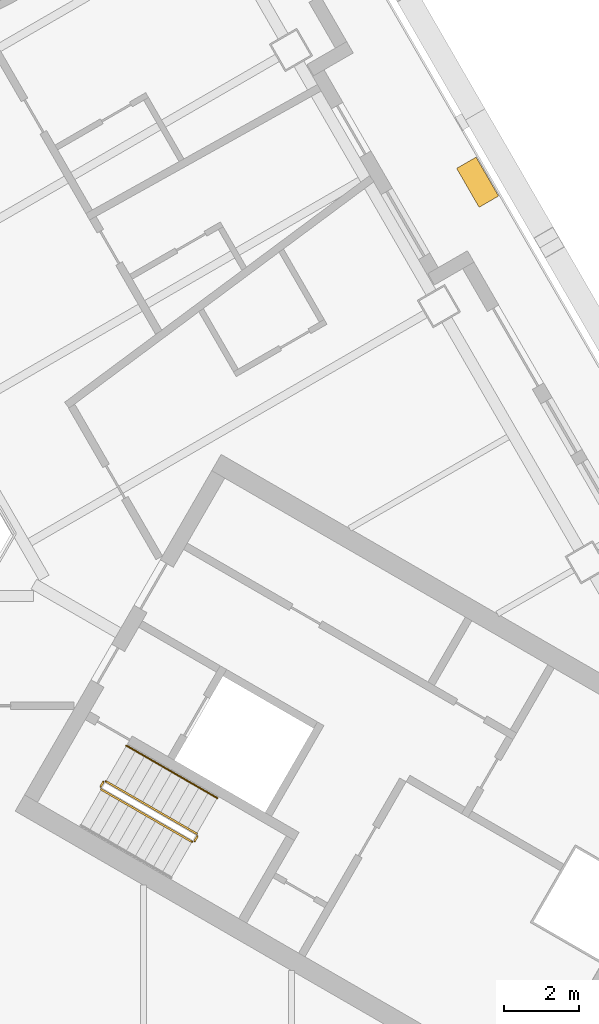
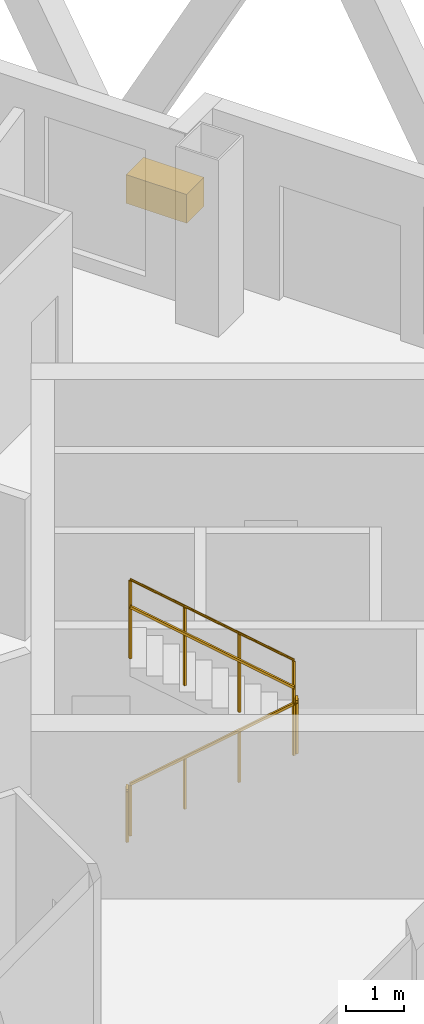
# One storey, part 12 of 14: 5 railings, 1 covering.
"""IFC4 building model written with IfcOpenShell, lengths in metres."""

from ifc_helpers import new_model, si_unit, direction, frame, origin, origin_2d, place, context, subcontext, project, spatial, rectangle, circle, extrude, material, type_object, element, save


model = new_model("IFC4")

# Units and contexts
model_context = context("Model", 3, precision=1e-05, world=origin(), true_north=direction((0.0, 1.0)))
body_context = subcontext(model_context, "Body", "Model", "MODEL_VIEW")
ifc_project = project(units=[si_unit("LENGTHUNIT", "METRE"), si_unit("AREAUNIT", "SQUARE_METRE"), si_unit("VOLUMEUNIT", "CUBIC_METRE"), si_unit("PLANEANGLEUNIT", "RADIAN"), si_unit("MASSUNIT", "GRAM", prefix="KILO")], contexts=[model_context])

# Site, building, storey
site_placement = place(None, origin())
site = spatial("IfcSite", under=ifc_project, at=site_placement, CompositionType="ELEMENT")
building_placement = place(site_placement, origin())
building = spatial("IfcBuilding", under=site, at=building_placement, Name="Apuvela Tower Hotel", CompositionType="ELEMENT")
storey_placement = place(building_placement, frame((0.0, 0.0, 168.800048828125)))
storey = spatial("IfcBuildingStorey", under=building, at=storey_placement, Name="L40", CompositionType="ELEMENT", Elevation=168.800048828125)

# Railings
ifc_material_1 = material(Name="Steel S275 balustrade", Category="steel")
railing_type_1 = type_object("IfcRailingType", Name="COR-GUARD-1100", PredefinedType="GUARDRAIL", material=ifc_material_1)
railing_1_placement = place(storey_placement, frame((10.718994140625, -10.63427734375, 0.168212890625)))
element("IfcRailing", 1, at=railing_1_placement, inside=storey, type_object=railing_type_1, Name="L40 ST3 stair guard 1", PredefinedType="GUARDRAIL", context=body_context, shape_type="SweptSolid", body=[
    extrude(rectangle(XDim=0.048095703125, YDim=0.048095703125, at=origin_2d()), frame((0.0, 0.0, 1.076171875), z_axis=(0.74241905619, -0.428617687091, 0.514879426), x_axis=(0.49998411664, 0.866034573852, 0.0)), (0.0, 0.0, 1.0), 3.26611328125),
    extrude(rectangle(XDim=0.0419921875, YDim=0.0419921875, at=origin_2d()), origin(), (0.0, 0.0, 1.0), 1.052001953125),
    extrude(rectangle(XDim=0.0419921875, YDim=0.0419921875, at=origin_2d()), frame((0.808349609375, -0.466552734375, 0.560546875)), (0.0, 0.0, 1.0), 1.052001953125),
    extrude(rectangle(XDim=0.0419921875, YDim=0.0419921875, at=origin_2d()), frame((1.616455078125, -0.933349609375, 1.12109375)), (0.0, 0.0, 1.0), 1.052001953125),
    extrude(rectangle(XDim=0.0419921875, YDim=0.0419921875, at=origin_2d()), frame((2.4248046875, -1.39990234375, 1.681640625)), (0.0, 0.0, 1.0), 1.052001953125),
])
railing_2_placement = place(storey_placement, frame((13.212158203125, -12.015869140625, 1.849853515625)))
element("IfcRailing", 2, at=railing_2_placement, inside=storey, type_object=railing_type_1, Name="L40 ST3 stair guard 2", PredefinedType="GUARDRAIL", context=body_context, shape_type="SweptSolid", body=[
    extrude(rectangle(XDim=0.048095703125, YDim=0.048095703125, at=origin_2d()), frame((0.0, 0.0, 1.076171875), z_axis=(0.499816412211, 0.866131372301, 0.0), x_axis=(-0.866131372301, 0.499816412211, 0.0)), (0.0, 0.0, 1.0), 0.14990234375),
    extrude(rectangle(XDim=0.0419921875, YDim=0.0419921875, at=origin_2d()), origin(), (0.0, 0.0, 1.0), 1.052001953125),
    extrude(rectangle(XDim=0.0419921875, YDim=0.0419921875, at=origin_2d()), frame((0.074951171875, 0.1298828125, 0.0)), (0.0, 0.0, 1.0), 1.052001953125),
])
railing_3_placement = place(storey_placement, frame((13.268798828125, -11.817626953125, 2.01806640625)))
element("IfcRailing", 3, at=railing_3_placement, inside=storey, type_object=railing_type_1, Name="L40 ST3 stair guard 3", PredefinedType="GUARDRAIL", context=body_context, shape_type="SweptSolid", body=[
    extrude(rectangle(XDim=0.048095703125, YDim=0.048095703125, at=origin_2d()), frame((0.0, 0.0, 1.076171875), z_axis=(-0.742390482028, 0.42860119049, 0.514934356695), x_axis=(-0.49998411664, -0.866034573852, 0.0)), (0.0, 0.0, 1.0), 3.26611328125),
    extrude(rectangle(XDim=0.0419921875, YDim=0.0419921875, at=origin_2d()), origin(), (0.0, 0.0, 1.0), 1.052001953125),
    extrude(rectangle(XDim=0.0419921875, YDim=0.0419921875, at=origin_2d()), frame((-0.808349609375, 0.466552734375, 0.560546875)), (0.0, 0.0, 1.0), 1.052001953125),
    extrude(rectangle(XDim=0.0419921875, YDim=0.0419921875, at=origin_2d()), frame((-1.616455078125, 0.933349609375, 1.121337890625)), (0.0, 0.0, 1.0), 1.052001953125),
    extrude(rectangle(XDim=0.0419921875, YDim=0.0419921875, at=origin_2d()), frame((-2.4248046875, 1.39990234375, 1.681884765625)), (0.0, 0.0, 1.0), 1.052001953125),
])
railing_4_placement = place(storey_placement, frame((10.70068359375, -10.56591796875, 0.0)))
element("IfcRailing", 4, at=railing_4_placement, inside=storey, type_object=railing_type_1, Name="L40 ST3 stair guard 4", PredefinedType="GUARDRAIL", context=body_context, shape_type="SweptSolid", body=[
    extrude(rectangle(XDim=0.048095703125, YDim=0.048095703125, at=origin_2d()), frame((0.0, 0.0, 1.076171875), z_axis=(0.499816412211, 0.866131372301, 0.0), x_axis=(-0.866131372301, 0.499816412211, 0.0)), (0.0, 0.0, 1.0), 0.14990234375),
    extrude(rectangle(XDim=0.0419921875, YDim=0.0419921875, at=origin_2d()), origin(), (0.0, 0.0, 1.0), 1.052001953125),
    extrude(rectangle(XDim=0.0419921875, YDim=0.0419921875, at=origin_2d()), frame((0.074951171875, 0.1298828125, 0.0)), (0.0, 0.0, 1.0), 1.052001953125),
])
ifc_material_2 = material(Name="Stainless steel 316 handrail", Category="steel")
railing_type_2 = type_object("IfcRailingType", Name="COR-HANDRAIL-900", PredefinedType="HANDRAIL", material=ifc_material_2)
railing_5_placement = place(storey_placement, frame((13.81884765625, -10.864990234375, 2.01806640625)))
element("IfcRailing", 5, at=railing_5_placement, inside=storey, type_object=railing_type_2, Name="L40 ST3 stair handrail 2", PredefinedType="HANDRAIL", context=body_context, shape_type="SweptSolid", body=[
    extrude(circle(Radius=0.02392578125, at=origin_2d()), frame((0.0, 0.0, 0.8759765625), z_axis=(-0.742390482028, 0.42860119049, 0.514934356695), x_axis=(-0.49998411664, -0.866034573852, 0.0)), (0.0, 0.0, 1.0), 3.26611328125),
    extrude(rectangle(XDim=0.0419921875, YDim=0.0419921875, at=origin_2d()), origin(), (0.0, 0.0, 1.0), 0.851806640625),
    extrude(rectangle(XDim=0.0419921875, YDim=0.0419921875, at=origin_2d()), frame((-0.808349609375, 0.466552734375, 0.560546875)), (0.0, 0.0, 1.0), 0.851806640625),
    extrude(rectangle(XDim=0.0419921875, YDim=0.0419921875, at=origin_2d()), frame((-1.616455078125, 0.933349609375, 1.121337890625)), (0.0, 0.0, 1.0), 0.851806640625),
    extrude(rectangle(XDim=0.0419921875, YDim=0.0419921875, at=origin_2d()), frame((-2.4248046875, 1.39990234375, 1.681884765625)), (0.0, 0.0, 1.0), 0.851806640625),
])

# Covering
ifc_material_3 = material(Name="Planting substrate and soil, planted")
covering_type = type_object("IfcCoveringType", Name="ENV-PLANTER-1200x600", PredefinedType="USERDEFINED", material=ifc_material_3)
covering_placement = place(storey_placement, frame((20.77099609375, 5.58349609375, 0.0), z_axis=(0.0, 0.0, 1.0), x_axis=(-0.5, 0.866025403784, 0.0)))
element("IfcCovering", 6, at=covering_placement, inside=storey, type_object=covering_type, Name="Planter NE3", ObjectType="PLANTER", PredefinedType="USERDEFINED", context=body_context, shape_type="SweptSolid", body=[
    extrude(rectangle(XDim=1.199951171875, YDim=0.60009765625, at=origin_2d()), origin(), (0.0, 0.0, 1.0), 0.60009765625),
])

save(model, "model.ifc")
